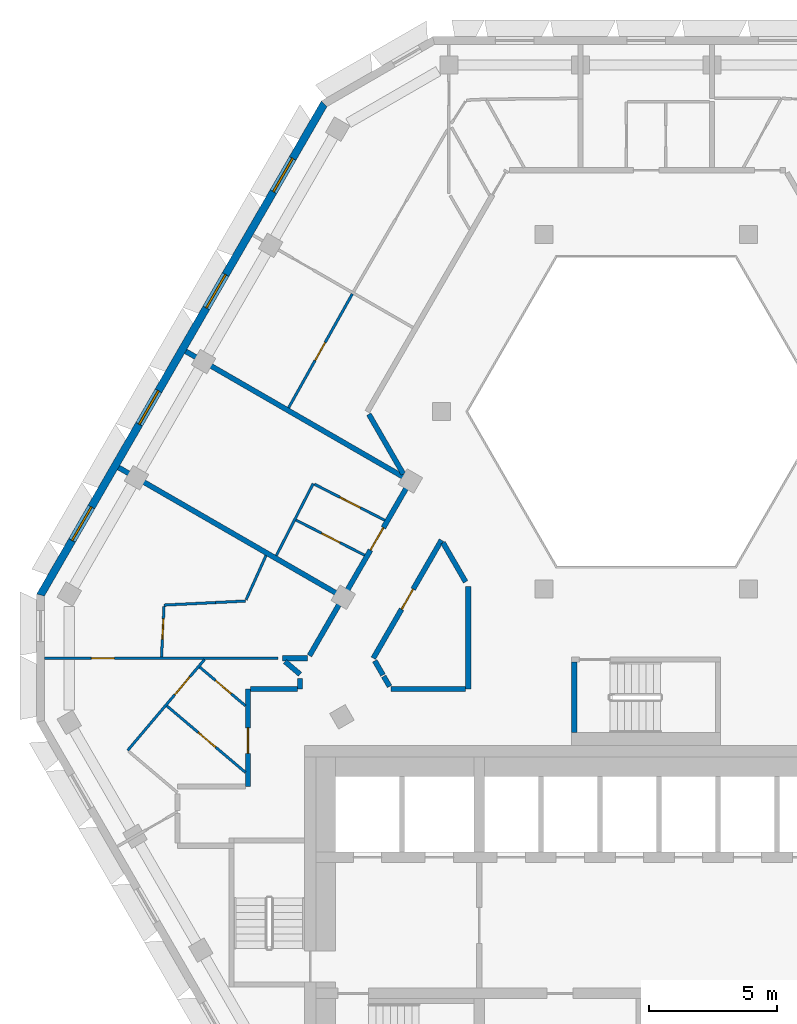
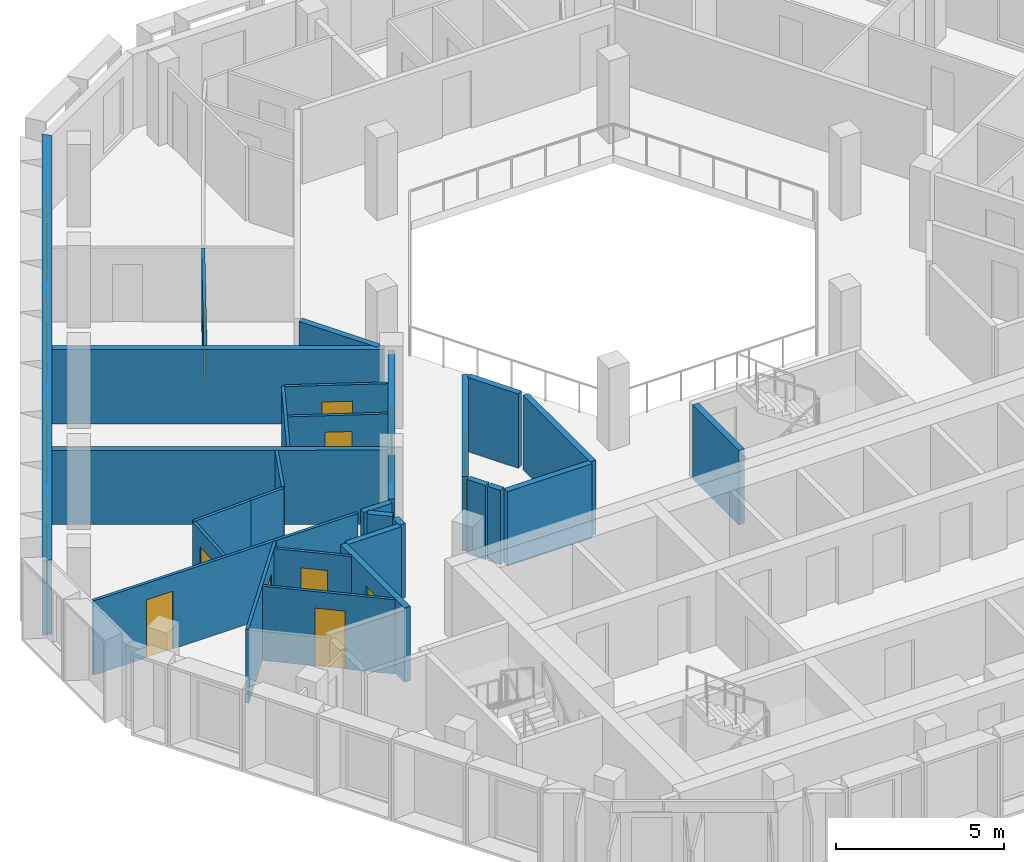
# One storey, part 4 of 15: 29 walls, 11 doors, 4 windows, 15 openings.
"""IFC4 building model written with IfcOpenShell, lengths in metres."""

from ifc_helpers import new_model, si_unit, direction, frame, frame_2d, origin, place, context, subcontext, project, spatial, polyline, rectangle, outline, extrude, material, layer, layer_set, type_object, element, fill, save


model = new_model("IFC4")

# Units and contexts
model_context = context("Model", 3, precision=1e-05, world=origin(), true_north=direction((0.0, 1.0)))
body_context = subcontext(model_context, "Body", "Model", "MODEL_VIEW")
ifc_project = project(units=[si_unit("LENGTHUNIT", "METRE"), si_unit("AREAUNIT", "SQUARE_METRE"), si_unit("VOLUMEUNIT", "CUBIC_METRE"), si_unit("PLANEANGLEUNIT", "RADIAN"), si_unit("MASSUNIT", "GRAM", prefix="KILO")], contexts=[model_context])

# Site, building, storey
site_placement = place(None, origin())
site = spatial("IfcSite", under=ifc_project, at=site_placement, CompositionType="ELEMENT")
building_placement = place(site_placement, origin())
building = spatial("IfcBuilding", under=site, at=building_placement, Name="Beryl Residences", CompositionType="ELEMENT")
storey_placement = place(building_placement, frame((0.0, 0.0, 211.800048828125)))
storey = spatial("IfcBuildingStorey", under=building, at=storey_placement, Name="L65", CompositionType="ELEMENT", Elevation=211.800048828125)

# Wall, openings, windows
ifc_material_1 = material(Name="Composite metal panel with mineral wool insulation")
ifc_layer_1 = layer(ifc_material_1, 0.300048828125)
ifc_layer_set_1 = layer_set([ifc_layer_1], Name="ES1 pale metal composite panel wall 300 mm")
wall_type_1 = type_object("IfcWallType", Name="ES1 pale metal composite panel wall 300 mm", PredefinedType="SOLIDWALL", material=ifc_layer_set_1)
wall_1_placement = place(storey_placement, frame((-12.513916015625, 20.02490234375, 0.0), z_axis=(0.0, 0.0, 1.0), x_axis=(-0.500003656944, -0.866023292436, 0.0)))
wall_1 = element("IfcWall", 1, at=wall_1_placement, inside=storey, type_object=wall_type_1, Name="ES1 external wall L65 NW", PredefinedType="SOLIDWALL", context=body_context, shape_type="SweptSolid", body=[
    extrude(outline(polyline([(0.0, -0.14990234375), (22.170166015625, -0.14990234375), (22.08984375, 0.14990234375), (0.080322265625, 0.14990234375), (0.0, -0.14990234375)])), origin(), (0.0, 0.0, 1.0), 2.699951171875),
])
opening_1_placement = place(wall_1_placement, frame((2.4970703125, 0.0, 0.14990234375)))
opening_1 = element("IfcOpeningElement", 2, at=opening_1_placement, cuts=wall_1, Name="Opening W1", PredefinedType="OPENING", context=body_context, shape_type="SweptSolid", body=[
    extrude(rectangle(XDim=1.5, YDim=2.10009765625, at=frame_2d((0.75, 1.050048828125))), frame((0.0, 0.159912109375, 0.0), z_axis=(0.0, -1.0, 0.0), x_axis=(1.0, 0.0, 0.0)), (0.0, 0.0, 1.0), 0.320068359375),
])
opening_2_placement = place(wall_1_placement, frame((7.721923828125, 0.0, 0.14990234375)))
opening_2 = element("IfcOpeningElement", 3, at=opening_2_placement, cuts=wall_1, Name="Opening W1", PredefinedType="OPENING", context=body_context, shape_type="SweptSolid", body=[
    extrude(rectangle(XDim=1.5, YDim=2.10009765625, at=frame_2d((0.75, 1.050048828125))), frame((0.0, 0.159912109375, 0.0), z_axis=(0.0, -1.0, 0.0), x_axis=(1.0, 0.0, 0.0)), (0.0, 0.0, 1.0), 0.320068359375),
])
opening_3_placement = place(wall_1_placement, frame((12.947998046875, 0.0, 0.14990234375)))
opening_3 = element("IfcOpeningElement", 4, at=opening_3_placement, cuts=wall_1, Name="Opening W1", PredefinedType="OPENING", context=body_context, shape_type="SweptSolid", body=[
    extrude(rectangle(XDim=1.5, YDim=2.10009765625, at=frame_2d((0.75, 1.050048828125))), frame((0.0, 0.159912109375, 0.0), z_axis=(0.0, -1.0, 0.0), x_axis=(1.0, 0.0, 0.0)), (0.0, 0.0, 1.0), 0.320068359375),
])
opening_4_placement = place(wall_1_placement, frame((18.173095703125, 0.0, 0.14990234375)))
opening_4 = element("IfcOpeningElement", 5, at=opening_4_placement, cuts=wall_1, Name="Opening W1", PredefinedType="OPENING", context=body_context, shape_type="SweptSolid", body=[
    extrude(rectangle(XDim=1.5, YDim=2.10009765625, at=frame_2d((0.75, 1.050048828125))), frame((0.0, 0.159912109375, 0.0), z_axis=(0.0, -1.0, 0.0), x_axis=(1.0, 0.0, 0.0)), (0.0, 0.0, 1.0), 0.320068359375),
])
ifc_material_2 = material(Name="Aluminium and clear glass", Category="aluminium")
window_type = type_object("IfcWindowType", Name="W1 cell window 1500 x 2100 mm", PartitioningType="SINGLE_PANEL", PredefinedType="WINDOW", material=ifc_material_2)
window_1_placement = place(opening_1_placement, origin())
window_1 = element("IfcWindow", 6, at=window_1_placement, inside=storey, type_object=window_type, Name="W1 window L65 NW 2", OverallHeight=2.10009765625, OverallWidth=1.5, PartitioningType="SINGLE_PANEL", PredefinedType="WINDOW", context=body_context, shape_type="SweptSolid", body=[
    extrude(rectangle(XDim=1.5, YDim=2.10009765625, at=frame_2d((0.75, 1.050048828125))), frame((0.0, 0.030029296875, 0.0), z_axis=(0.0, -1.0, 0.0), x_axis=(1.0, 0.0, 0.0)), (0.0, 0.0, 1.0), 0.06005859375),
])
fill(opening_1, window_1)
window_2_placement = place(opening_2_placement, origin())
window_2 = element("IfcWindow", 7, at=window_2_placement, inside=storey, type_object=window_type, Name="W1 window L65 NW 4", OverallHeight=2.10009765625, OverallWidth=1.5, PartitioningType="SINGLE_PANEL", PredefinedType="WINDOW", context=body_context, shape_type="SweptSolid", body=[
    extrude(rectangle(XDim=1.5, YDim=2.10009765625, at=frame_2d((0.75, 1.050048828125))), frame((0.0, 0.030029296875, 0.0), z_axis=(0.0, -1.0, 0.0), x_axis=(1.0, 0.0, 0.0)), (0.0, 0.0, 1.0), 0.06005859375),
])
fill(opening_2, window_2)
window_3_placement = place(opening_3_placement, origin())
window_3 = element("IfcWindow", 8, at=window_3_placement, inside=storey, type_object=window_type, Name="W1 window L65 NW 6", OverallHeight=2.10009765625, OverallWidth=1.5, PartitioningType="SINGLE_PANEL", PredefinedType="WINDOW", context=body_context, shape_type="SweptSolid", body=[
    extrude(rectangle(XDim=1.5, YDim=2.10009765625, at=frame_2d((0.75, 1.050048828125))), frame((0.0, 0.030029296875, 0.0), z_axis=(0.0, -1.0, 0.0), x_axis=(1.0, 0.0, 0.0)), (0.0, 0.0, 1.0), 0.06005859375),
])
fill(opening_3, window_3)
window_4_placement = place(opening_4_placement, origin())
window_4 = element("IfcWindow", 9, at=window_4_placement, inside=storey, type_object=window_type, Name="W1 window L65 NW 8", OverallHeight=2.10009765625, OverallWidth=1.5, PartitioningType="SINGLE_PANEL", PredefinedType="WINDOW", context=body_context, shape_type="SweptSolid", body=[
    extrude(rectangle(XDim=1.5, YDim=2.10009765625, at=frame_2d((0.75, 1.050048828125))), frame((0.0, 0.030029296875, 0.0), z_axis=(0.0, -1.0, 0.0), x_axis=(1.0, 0.0, 0.0)), (0.0, 0.0, 1.0), 0.06005859375),
])
fill(opening_4, window_4)

# Wall, opening, door
ifc_material_3 = material(Name="Gypsum board partition on steel studs", Category="steel")
ifc_layer_2 = layer(ifc_material_3, 0.10009765625)
ifc_layer_set_2 = layer_set([ifc_layer_2], Name="PT1 partition 100 mm gypsum board on steel studs")
wall_type_2 = type_object("IfcWallType", Name="PT1 partition 100 mm gypsum board on steel studs", PredefinedType="PARTITIONING", material=ifc_layer_set_2)
wall_2_placement = place(storey_placement, frame((-12.9169921875, 5.177001953125, 0.0), z_axis=(0.0, 0.0, 1.0), x_axis=(0.889829844516, -0.456292502467, 0.0)))
wall_2 = element("IfcWall", 10, at=wall_2_placement, inside=storey, type_object=wall_type_2, Name="Wall PT1 L65 015", PredefinedType="PARTITIONING", context=body_context, shape_type="SweptSolid", body=[
    extrude(rectangle(XDim=3.079345703125, YDim=0.10009765625, at=frame_2d((1.53955078125, 0.0))), origin(), (0.0, 0.0, 1.0), 2.699951171875),
])
opening_5_placement = place(wall_2_placement, frame((1.114013671875, 0.0, 0.0)))
opening_5 = element("IfcOpeningElement", 11, at=opening_5_placement, cuts=wall_2, Name="Opening D2121", PredefinedType="OPENING", context=body_context, shape_type="SweptSolid", body=[
    extrude(rectangle(XDim=0.89990234375, YDim=2.10009765625, at=frame_2d((0.449951171875, 1.050048828125))), frame((0.0, 0.06005859375, 0.0), z_axis=(0.0, -1.0, 0.0), x_axis=(1.0, 0.0, 0.0)), (0.0, 0.0, 1.0), 0.1201171875),
])
ifc_material_4 = material(Name="Timber door leaf", Category="wood")
door_type_1 = type_object("IfcDoorType", Name="D2 room door 900 x 2100 mm", OperationType="SINGLE_SWING_LEFT", PredefinedType="DOOR", material=ifc_material_4)
door_1_placement = place(opening_5_placement, origin())
door_1 = element("IfcDoor", 12, at=door_1_placement, inside=storey, type_object=door_type_1, Name="Door D2121 L65 001", OperationType="SINGLE_SWING_LEFT", OverallHeight=2.10009765625, OverallWidth=0.89990234375, PredefinedType="DOOR", context=body_context, shape_type="SweptSolid", body=[
    extrude(rectangle(XDim=0.89990234375, YDim=2.10009765625, at=frame_2d((0.449951171875, 1.050048828125))), frame((0.0, 0.02490234375, 0.0), z_axis=(0.0, -1.0, 0.0), x_axis=(1.0, 0.0, 0.0)), (0.0, 0.0, 1.0), 0.050048828125),
])
fill(opening_5, door_1)

wall_3_placement = place(storey_placement, frame((-13.634033203125, 3.780029296875, 0.0), z_axis=(0.0, 0.0, 1.0), x_axis=(0.889908901513, -0.456138298116, 0.0)))
wall_3 = element("IfcWall", 13, at=wall_3_placement, inside=storey, type_object=wall_type_2, Name="Wall PT1 L65 016", PredefinedType="PARTITIONING", context=body_context, shape_type="SweptSolid", body=[
    extrude(rectangle(XDim=3.001708984375, YDim=0.10009765625, at=frame_2d((1.5009765625, 0.0))), origin(), (0.0, 0.0, 1.0), 2.699951171875),
])
opening_6_placement = place(wall_3_placement, frame((1.1259765625, 0.0, 0.0)))
opening_6 = element("IfcOpeningElement", 14, at=opening_6_placement, cuts=wall_3, Name="Opening D2122", PredefinedType="OPENING", context=body_context, shape_type="SweptSolid", body=[
    extrude(rectangle(XDim=0.800048828125, YDim=2.10009765625, at=frame_2d((0.39990234375, 1.050048828125))), frame((0.0, 0.06005859375, 0.0), z_axis=(0.0, -1.0, 0.0), x_axis=(1.0, 0.0, 0.0)), (0.0, 0.0, 1.0), 0.1201171875),
])
ifc_material_5 = material(Name="Timber door leaf", Category="wood")
door_type_2 = type_object("IfcDoorType", Name="D3 bathroom door 800 x 2100 mm", OperationType="SINGLE_SWING_LEFT", PredefinedType="DOOR", material=ifc_material_5)
door_2_placement = place(opening_6_placement, origin())
door_2 = element("IfcDoor", 15, at=door_2_placement, inside=storey, type_object=door_type_2, Name="Door D2122 L65 001", OperationType="SINGLE_SWING_RIGHT", OverallHeight=2.10009765625, OverallWidth=0.800048828125, PredefinedType="DOOR", context=body_context, shape_type="SweptSolid", body=[
    extrude(rectangle(XDim=0.800048828125, YDim=2.10009765625, at=frame_2d((0.39990234375, 1.050048828125))), frame((0.0, 0.02490234375, 0.0), z_axis=(0.0, -1.0, 0.0), x_axis=(1.0, 0.0, 0.0)), (0.0, 0.0, 1.0), 0.050048828125),
])
fill(opening_6, door_2)

wall_4_placement = place(storey_placement, frame((-17.3798828125, -1.947021484375, 0.0), z_axis=(0.0, 0.0, 1.0), x_axis=(0.763616683524, -0.645669854217, 0.0)))
wall_4 = element("IfcWall", 16, at=wall_4_placement, inside=storey, type_object=wall_type_2, Name="Wall PT1 L65 019", PredefinedType="PARTITIONING", context=body_context, shape_type="SweptSolid", body=[
    extrude(rectangle(XDim=2.330810546875, YDim=0.10009765625, at=frame_2d((1.16552734375, 0.0))), origin(), (0.0, 0.0, 1.0), 2.699951171875),
])
opening_7_placement = place(wall_4_placement, frame((0.805908203125, 0.0, 0.0)))
opening_7 = element("IfcOpeningElement", 17, at=opening_7_placement, cuts=wall_4, Name="Opening D2125", PredefinedType="OPENING", context=body_context, shape_type="SweptSolid", body=[
    extrude(rectangle(XDim=0.800048828125, YDim=2.10009765625, at=frame_2d((0.39990234375, 1.050048828125))), frame((0.0, 0.06005859375, 0.0), z_axis=(0.0, -1.0, 0.0), x_axis=(1.0, 0.0, 0.0)), (0.0, 0.0, 1.0), 0.1201171875),
])
door_3_placement = place(opening_7_placement, origin())
door_3 = element("IfcDoor", 18, at=door_3_placement, inside=storey, type_object=door_type_2, Name="Door D2125 L65 001", OperationType="SINGLE_SWING_LEFT", OverallHeight=2.10009765625, OverallWidth=0.800048828125, PredefinedType="DOOR", context=body_context, shape_type="SweptSolid", body=[
    extrude(rectangle(XDim=0.800048828125, YDim=2.10009765625, at=frame_2d((0.39990234375, 1.050048828125))), frame((0.0, 0.02490234375, 0.0), z_axis=(0.0, -1.0, 0.0), x_axis=(1.0, 0.0, 0.0)), (0.0, 0.0, 1.0), 0.050048828125),
])
fill(opening_7, door_3)

wall_5_placement = place(storey_placement, frame((-18.658935546875, -3.458984375, 0.0), z_axis=(0.0, 0.0, 1.0), x_axis=(0.763550385572, -0.64574825489, 0.0)))
wall_5 = element("IfcWall", 19, at=wall_5_placement, inside=storey, type_object=wall_type_2, Name="Wall PT1 L65 020", PredefinedType="PARTITIONING", context=body_context, shape_type="SweptSolid", body=[
    extrude(rectangle(XDim=4.006103515625, YDim=0.10009765625, at=frame_2d((2.0029296875, 0.0))), origin(), (0.0, 0.0, 1.0), 2.699951171875),
])
opening_8_placement = place(wall_5_placement, frame((1.593017578125, 0.0, 0.0)))
opening_8 = element("IfcOpeningElement", 20, at=opening_8_placement, cuts=wall_5, Name="Opening D2124", PredefinedType="OPENING", context=body_context, shape_type="SweptSolid", body=[
    extrude(rectangle(XDim=0.89990234375, YDim=2.10009765625, at=frame_2d((0.449951171875, 1.050048828125))), frame((0.0, 0.06005859375, 0.0), z_axis=(0.0, -1.0, 0.0), x_axis=(1.0, 0.0, 0.0)), (0.0, 0.0, 1.0), 0.1201171875),
])
door_4_placement = place(opening_8_placement, origin())
door_4 = element("IfcDoor", 21, at=door_4_placement, inside=storey, type_object=door_type_1, Name="Door D2124 L65 001", OperationType="SINGLE_SWING_RIGHT", OverallHeight=2.10009765625, OverallWidth=0.89990234375, PredefinedType="DOOR", context=body_context, shape_type="SweptSolid", body=[
    extrude(rectangle(XDim=0.89990234375, YDim=2.10009765625, at=frame_2d((0.449951171875, 1.050048828125))), frame((0.0, 0.02490234375, 0.0), z_axis=(0.0, -1.0, 0.0), x_axis=(1.0, 0.0, 0.0)), (0.0, 0.0, 1.0), 0.050048828125),
])
fill(opening_8, door_4)

wall_6_placement = place(storey_placement, frame((-23.428955078125, -1.60107421875, 0.0), z_axis=(0.0, 0.0, 1.0), x_axis=(0.999999994233, 0.000107396965, 0.0)))
wall_6 = element("IfcWall", 22, at=wall_6_placement, inside=storey, type_object=wall_type_2, Name="Wall PT1 L65 022", PredefinedType="PARTITIONING", context=body_context, shape_type="SweptSolid", body=[
    extrude(rectangle(XDim=9.093017578125, YDim=0.10009765625, at=frame_2d((4.54638671875, 0.0))), origin(), (0.0, 0.0, 1.0), 2.699951171875),
])
opening_9_placement = place(wall_6_placement, frame((1.8291015625, 0.0, 0.0)))
opening_9 = element("IfcOpeningElement", 23, at=opening_9_placement, cuts=wall_6, Name="Opening D2127", PredefinedType="OPENING", context=body_context, shape_type="SweptSolid", body=[
    extrude(rectangle(XDim=0.89990234375, YDim=2.10009765625, at=frame_2d((0.449951171875, 1.050048828125))), frame((0.0, 0.06005859375, 0.0), z_axis=(0.0, -1.0, 0.0), x_axis=(1.0, 0.0, 0.0)), (0.0, 0.0, 1.0), 0.1201171875),
])
door_5_placement = place(opening_9_placement, origin())
door_5 = element("IfcDoor", 24, at=door_5_placement, inside=storey, type_object=door_type_1, Name="Door D2127 L65 001", OperationType="SINGLE_SWING_LEFT", OverallHeight=2.10009765625, OverallWidth=0.89990234375, PredefinedType="DOOR", context=body_context, shape_type="SweptSolid", body=[
    extrude(rectangle(XDim=0.89990234375, YDim=2.10009765625, at=frame_2d((0.449951171875, 1.050048828125))), frame((0.0, 0.02490234375, 0.0), z_axis=(0.0, -1.0, 0.0), x_axis=(1.0, 0.0, 0.0)), (0.0, 0.0, 1.0), 0.050048828125),
])
fill(opening_9, door_5)

wall_7_placement = place(storey_placement, frame((-20.18798828125, -5.19091796875, 0.0), z_axis=(0.0, 0.0, 1.0), x_axis=(0.645524337256, 0.763739700429, 0.0)))
wall_7 = element("IfcWall", 25, at=wall_7_placement, inside=storey, type_object=wall_type_2, Name="Wall PT1 L65 026", PredefinedType="PARTITIONING", context=body_context, shape_type="SweptSolid", body=[
    extrude(rectangle(XDim=4.636474609375, YDim=0.10009765625, at=frame_2d((2.318359375, 0.0))), origin(), (0.0, 0.0, 1.0), 2.699951171875),
])
opening_10_placement = place(wall_7_placement, frame((2.85009765625, 0.0, 0.0)))
opening_10 = element("IfcOpeningElement", 26, at=opening_10_placement, cuts=wall_7, Name="Opening D2126", PredefinedType="OPENING", context=body_context, shape_type="SweptSolid", body=[
    extrude(rectangle(XDim=0.89990234375, YDim=2.10009765625, at=frame_2d((0.449951171875, 1.050048828125))), frame((0.0, 0.06005859375, 0.0), z_axis=(0.0, -1.0, 0.0), x_axis=(1.0, 0.0, 0.0)), (0.0, 0.0, 1.0), 0.1201171875),
])
door_6_placement = place(opening_10_placement, origin())
door_6 = element("IfcDoor", 27, at=door_6_placement, inside=storey, type_object=door_type_1, Name="Door D2126 L65 001", OperationType="SINGLE_SWING_RIGHT", OverallHeight=2.10009765625, OverallWidth=0.89990234375, PredefinedType="DOOR", context=body_context, shape_type="SweptSolid", body=[
    extrude(rectangle(XDim=0.89990234375, YDim=2.10009765625, at=frame_2d((0.449951171875, 1.050048828125))), frame((0.0, 0.02490234375, 0.0), z_axis=(0.0, -1.0, 0.0), x_axis=(1.0, 0.0, 0.0)), (0.0, 0.0, 1.0), 0.050048828125),
])
fill(opening_10, door_6)

# Wall
wall_8_placement = place(storey_placement, frame((-15.574951171875, 0.677001953125, 0.0), z_axis=(0.0, 0.0, 1.0), x_axis=(0.410768223147, 0.911739802165, 0.0)))
element("IfcWall", 28, at=wall_8_placement, inside=storey, type_object=wall_type_2, Name="Wall PT1 L65 028", PredefinedType="PARTITIONING", context=body_context, shape_type="SweptSolid", body=[
    extrude(rectangle(XDim=1.886474609375, YDim=0.10009765625, at=frame_2d((0.943359375, 0.0))), origin(), (0.0, 0.0, 1.0), 2.699951171875),
])

# Wall, opening, door
wall_9_placement = place(storey_placement, frame((-13.9208984375, 8.153076171875, 0.0), z_axis=(0.0, 0.0, 1.0), x_axis=(0.488568218554, 0.872525699231, 0.0)))
wall_9 = element("IfcWall", 29, at=wall_9_placement, inside=storey, type_object=wall_type_2, Name="Wall PT1 L65 031", PredefinedType="PARTITIONING", context=body_context, shape_type="SweptSolid", body=[
    extrude(rectangle(XDim=5.075927734375, YDim=0.10009765625, at=frame_2d((2.5380859375, 0.0))), origin(), (0.0, 0.0, 1.0), 2.699951171875),
])
opening_11_placement = place(wall_9_placement, frame((2.113037109375, 0.0, 0.0)))
opening_11 = element("IfcOpeningElement", 30, at=opening_11_placement, cuts=wall_9, Name="Opening D2119", PredefinedType="OPENING", context=body_context, shape_type="SweptSolid", body=[
    extrude(rectangle(XDim=0.800048828125, YDim=2.10009765625, at=frame_2d((0.39990234375, 1.050048828125))), frame((0.0, 0.06005859375, 0.0), z_axis=(0.0, -1.0, 0.0), x_axis=(1.0, 0.0, 0.0)), (0.0, 0.0, 1.0), 0.1201171875),
])
door_7_placement = place(opening_11_placement, origin())
door_7 = element("IfcDoor", 31, at=door_7_placement, inside=storey, type_object=door_type_2, Name="Door D2119 L65 001", OperationType="SINGLE_SWING_LEFT", OverallHeight=2.10009765625, OverallWidth=0.800048828125, PredefinedType="DOOR", context=body_context, shape_type="SweptSolid", body=[
    extrude(rectangle(XDim=0.800048828125, YDim=2.10009765625, at=frame_2d((0.39990234375, 1.050048828125))), frame((0.0, 0.02490234375, 0.0), z_axis=(0.0, -1.0, 0.0), x_axis=(1.0, 0.0, 0.0)), (0.0, 0.0, 1.0), 0.050048828125),
])
fill(opening_11, door_7)

# Wall
wall_10_placement = place(storey_placement, frame((-14.39892578125, 2.39599609375, 0.0), z_axis=(0.0, 0.0, 1.0), x_axis=(0.455967231787, 0.889996563778, 0.0)))
element("IfcWall", 32, at=wall_10_placement, inside=storey, type_object=wall_type_2, Name="Wall PT1 L65 034", PredefinedType="PARTITIONING", context=body_context, shape_type="SweptSolid", body=[
    extrude(rectangle(XDim=3.1494140625, YDim=0.10009765625, at=frame_2d((1.57470703125, 0.0))), origin(), (0.0, 0.0, 1.0), 2.699951171875),
])

# Wall, opening, door
wall_11_placement = place(storey_placement, frame((-18.868896484375, -1.550048828125, 0.0), z_axis=(0.0, 0.0, 1.0), x_axis=(0.049189853645, 0.998789446429, 0.0)))
wall_11 = element("IfcWall", 33, at=wall_11_placement, inside=storey, type_object=wall_type_2, Name="Wall PT1 L65 035", PredefinedType="PARTITIONING", context=body_context, shape_type="SweptSolid", body=[
    extrude(rectangle(XDim=1.970458984375, YDim=0.10009765625, at=frame_2d((0.9853515625, 0.0))), origin(), (0.0, 0.0, 1.0), 2.699951171875),
])
opening_12_placement = place(wall_11_placement, frame((0.68408203125, 0.0, 0.0)))
opening_12 = element("IfcOpeningElement", 34, at=opening_12_placement, cuts=wall_11, Name="Opening D2129", PredefinedType="OPENING", context=body_context, shape_type="SweptSolid", body=[
    extrude(rectangle(XDim=0.800048828125, YDim=2.10009765625, at=frame_2d((0.39990234375, 1.050048828125))), frame((0.0, 0.06005859375, 0.0), z_axis=(0.0, -1.0, 0.0), x_axis=(1.0, 0.0, 0.0)), (0.0, 0.0, 1.0), 0.1201171875),
])
door_8_placement = place(opening_12_placement, origin())
door_8 = element("IfcDoor", 35, at=door_8_placement, inside=storey, type_object=door_type_2, Name="Door D2129 L65 001", OperationType="SINGLE_SWING_LEFT", OverallHeight=2.10009765625, OverallWidth=0.800048828125, PredefinedType="DOOR", context=body_context, shape_type="SweptSolid", body=[
    extrude(rectangle(XDim=0.800048828125, YDim=2.10009765625, at=frame_2d((0.39990234375, 1.050048828125))), frame((0.0, 0.02490234375, 0.0), z_axis=(0.0, -1.0, 0.0), x_axis=(1.0, 0.0, 0.0)), (0.0, 0.0, 1.0), 0.050048828125),
])
fill(opening_12, door_8)

# Walls
wall_12_placement = place(storey_placement, frame((-18.76904296875, 0.468994140625, 0.0), z_axis=(0.0, 0.0, 1.0), x_axis=(0.998780383332, 0.049373534108, 0.0)))
element("IfcWall", 36, at=wall_12_placement, inside=storey, type_object=wall_type_2, Name="Wall PT1 L65 046", PredefinedType="PARTITIONING", context=body_context, shape_type="SweptSolid", body=[
    extrude(rectangle(XDim=2.007568359375, YDim=0.10009765625, at=frame_2d((1.00390625, 0.0))), origin(), (0.0, 0.0, 1.0), 2.699951171875),
])
wall_13_placement = place(storey_placement, frame((-16.763916015625, 0.569091796875, 0.0), z_axis=(0.0, 0.0, 1.0), x_axis=(0.998812102885, 0.048727642373, 0.0)))
element("IfcWall", 37, at=wall_13_placement, inside=storey, type_object=wall_type_2, Name="Wall PT1 L65 047", PredefinedType="PARTITIONING", context=body_context, shape_type="SweptSolid", body=[
    extrude(rectangle(XDim=1.16748046875, YDim=0.10009765625, at=frame_2d((0.583740234375, 0.0))), origin(), (0.0, 0.0, 1.0), 2.699951171875),
])
ifc_material_6 = material(Name="Acoustic double stud gypsum board wall")
ifc_layer_3 = layer(ifc_material_6, 0.199951171875)
ifc_layer_set_3 = layer_set([ifc_layer_3], Name="PT3 party wall 200 mm acoustic double stud")
wall_type_3 = type_object("IfcWallType", Name="PT3 party wall 200 mm acoustic double stud", PredefinedType="PARTITIONING", material=ifc_layer_set_3)
wall_14_placement = place(storey_placement, frame((-20.5390625, 5.824951171875, 0.0), z_axis=(0.0, 0.0, 1.0), x_axis=(0.866046068403, -0.499964206122, 0.0)))
element("IfcWall", 38, at=wall_14_placement, inside=storey, type_object=wall_type_3, Name="Wall PT3 L65 004", PredefinedType="PARTITIONING", context=body_context, shape_type="SweptSolid", body=[
    extrude(rectangle(XDim=9.994873046875, YDim=0.199951171875, at=frame_2d((4.99755859375, 0.0))), origin(), (0.0, 0.0, 1.0), 2.699951171875),
])
wall_15_placement = place(storey_placement, frame((-17.926025390625, 10.35009765625, 0.0), z_axis=(0.0, 0.0, 1.0), x_axis=(0.866018411306, -0.500012111133, 0.0)))
element("IfcWall", 39, at=wall_15_placement, inside=storey, type_object=wall_type_3, Name="Wall PT3 L65 005", PredefinedType="PARTITIONING", context=body_context, shape_type="SweptSolid", body=[
    extrude(rectangle(XDim=9.898193359375, YDim=0.199951171875, at=frame_2d((4.94921875, 0.0))), origin(), (0.0, 0.0, 1.0), 2.699951171875),
])
wall_16_placement = place(storey_placement, frame((-14.05908203125, -1.72998046875, 0.0), z_axis=(0.0, 0.0, 1.0), x_axis=(0.763289607824, -0.64605647941, 0.0)))
element("IfcWall", 40, at=wall_16_placement, inside=storey, type_object=wall_type_3, Name="Wall PT3 L65 010", PredefinedType="PARTITIONING", context=body_context, shape_type="SweptSolid", body=[
    extrude(rectangle(XDim=0.766357421875, YDim=0.199951171875, at=frame_2d((0.38330078125, 0.0))), origin(), (0.0, 0.0, 1.0), 2.699951171875),
])
wall_17_placement = place(storey_placement, frame((-14.166015625, -1.60009765625, 0.0), z_axis=(0.0, 0.0, 1.0), x_axis=(1.0, 0.0, 0.0)))
element("IfcWall", 41, at=wall_17_placement, inside=storey, type_object=wall_type_3, Name="Wall PT3 L65 011", PredefinedType="PARTITIONING", context=body_context, shape_type="SweptSolid", body=[
    extrude(rectangle(XDim=0.972900390625, YDim=0.199951171875, at=frame_2d((0.486328125, 0.0))), origin(), (0.0, 0.0, 1.0), 2.699951171875),
])
ifc_material_7 = material(Name="Double stud gypsum board wall")
ifc_layer_4 = layer(ifc_material_7, 0.199951171875)
ifc_layer_set_4 = layer_set([ifc_layer_4], Name="PT4 corridor wall 200 mm double stud")
wall_type_4 = type_object("IfcWallType", Name="PT4 corridor wall 200 mm double stud", PredefinedType="PARTITIONING", material=ifc_layer_set_4)
wall_18_placement = place(storey_placement, frame((-10.7958984375, 7.89990234375, 0.0), z_axis=(0.0, 0.0, 1.0), x_axis=(0.499698840221, -0.866199208659, 0.0)))
element("IfcWall", 42, at=wall_18_placement, inside=storey, type_object=wall_type_4, Name="Wall PT4 L65 001", PredefinedType="PARTITIONING", context=body_context, shape_type="SweptSolid", body=[
    extrude(rectangle(XDim=2.685302734375, YDim=0.199951171875, at=frame_2d((1.3427734375, 0.0))), origin(), (0.0, 0.0, 1.0), 2.699951171875),
])
wall_19_placement = place(storey_placement, frame((-7.908935546875, 2.89794921875, 0.0), z_axis=(0.0, 0.0, 1.0), x_axis=(0.50019444547, -0.865913111531, 0.0)))
element("IfcWall", 43, at=wall_19_placement, inside=storey, type_object=wall_type_4, Name="Wall PT4 L65 002", PredefinedType="PARTITIONING", context=body_context, shape_type="SweptSolid", body=[
    extrude(rectangle(XDim=1.760986328125, YDim=0.199951171875, at=frame_2d((0.88037109375, 0.0))), origin(), (0.0, 0.0, 1.0), 2.699951171875),
])
wall_20_placement = place(storey_placement, frame((-10.56494140625, -1.700927734375, 0.0), z_axis=(0.0, 0.0, 1.0), x_axis=(0.499512735409, -0.866306543416, 0.0)))
element("IfcWall", 44, at=wall_20_placement, inside=storey, type_object=wall_type_4, Name="Wall PT4 L65 003", PredefinedType="PARTITIONING", context=body_context, shape_type="SweptSolid", body=[
    extrude(rectangle(XDim=0.638427734375, YDim=0.199951171875, at=frame_2d((0.3193359375, 0.0))), origin(), (0.0, 0.0, 1.0), 2.699951171875),
])
wall_21_placement = place(storey_placement, frame((-10.217041015625, -2.303955078125, 0.0), z_axis=(0.0, 0.0, 1.0), x_axis=(0.499013081552, -0.866594452117, 0.0)))
element("IfcWall", 45, at=wall_21_placement, inside=storey, type_object=wall_type_4, Name="Wall PT4 L65 004", PredefinedType="PARTITIONING", context=body_context, shape_type="SweptSolid", body=[
    extrude(rectangle(XDim=0.45703125, YDim=0.199951171875, at=frame_2d((0.228515625, 0.0))), origin(), (0.0, 0.0, 1.0), 2.699951171875),
])
wall_22_placement = place(storey_placement, frame((-15.39892578125, -2.800048828125, 0.0), z_axis=(0.0, 0.0, 1.0), x_axis=(1.0, 0.0, 0.0)))
element("IfcWall", 46, at=wall_22_placement, inside=storey, type_object=wall_type_4, Name="Wall PT4 L65 014", PredefinedType="PARTITIONING", context=body_context, shape_type="SweptSolid", body=[
    extrude(rectangle(XDim=1.824951171875, YDim=0.199951171875, at=frame_2d((0.91259765625, 0.0))), origin(), (0.0, 0.0, 1.0), 2.699951171875),
])
wall_23_placement = place(storey_placement, frame((-9.929931640625, -2.800048828125, 0.0), z_axis=(0.0, 0.0, 1.0), x_axis=(1.0, 0.0, 0.0)))
element("IfcWall", 47, at=wall_23_placement, inside=storey, type_object=wall_type_4, Name="Wall PT4 L65 015", PredefinedType="PARTITIONING", context=body_context, shape_type="SweptSolid", body=[
    extrude(rectangle(XDim=2.90087890625, YDim=0.199951171875, at=frame_2d((1.450439453125, 0.0))), origin(), (0.0, 0.0, 1.0), 2.699951171875),
])

# Wall, opening, door
wall_24_placement = place(storey_placement, frame((-10.623046875, -1.60009765625, 0.0), z_axis=(0.0, 0.0, 1.0), x_axis=(0.500040865889, 0.866001808567, 0.0)))
wall_24 = element("IfcWall", 48, at=wall_24_placement, inside=storey, type_object=wall_type_4, Name="Wall PT4 L65 023", PredefinedType="PARTITIONING", context=body_context, shape_type="SweptSolid", body=[
    extrude(rectangle(XDim=5.3095703125, YDim=0.199951171875, at=frame_2d((2.65478515625, 0.0))), origin(), (0.0, 0.0, 1.0), 2.699951171875),
])
opening_13_placement = place(wall_24_placement, frame((2.205078125, 0.0, 0.0)))
opening_13 = element("IfcOpeningElement", 49, at=opening_13_placement, cuts=wall_24, Name="Opening D2144", PredefinedType="OPENING", context=body_context, shape_type="SweptSolid", body=[
    extrude(rectangle(XDim=0.89990234375, YDim=2.10009765625, at=frame_2d((0.449951171875, 1.050048828125))), frame((0.0, 0.10986328125, 0.0), z_axis=(0.0, -1.0, 0.0), x_axis=(1.0, 0.0, 0.0)), (0.0, 0.0, 1.0), 0.219970703125),
])
door_9_placement = place(opening_13_placement, origin())
door_9 = element("IfcDoor", 50, at=door_9_placement, inside=storey, type_object=door_type_1, Name="Door D2144 L65 001", OperationType="SINGLE_SWING_RIGHT", OverallHeight=2.10009765625, OverallWidth=0.89990234375, PredefinedType="DOOR", context=body_context, shape_type="SweptSolid", body=[
    extrude(rectangle(XDim=0.89990234375, YDim=2.10009765625, at=frame_2d((0.449951171875, 1.050048828125))), frame((0.0, 0.02490234375, 0.0), z_axis=(0.0, -1.0, 0.0), x_axis=(1.0, 0.0, 0.0)), (0.0, 0.0, 1.0), 0.050048828125),
])
fill(opening_13, door_9)

wall_25_placement = place(storey_placement, frame((-13.10595703125, -1.5, 0.0), z_axis=(0.0, 0.0, 1.0), x_axis=(0.500025705601, 0.86601056214, 0.0)))
wall_25 = element("IfcWall", 51, at=wall_25_placement, inside=storey, type_object=wall_type_4, Name="Wall PT4 L65 024", PredefinedType="PARTITIONING", context=body_context, shape_type="SweptSolid", body=[
    extrude(rectangle(XDim=7.7353515625, YDim=0.199951171875, at=frame_2d((3.86767578125, 0.0))), origin(), (0.0, 0.0, 1.0), 2.699951171875),
])
opening_14_placement = place(wall_25_placement, frame((4.748046875, 0.0, 0.0)))
opening_14 = element("IfcOpeningElement", 52, at=opening_14_placement, cuts=wall_25, Name="Opening D2120", PredefinedType="OPENING", context=body_context, shape_type="SweptSolid", body=[
    extrude(rectangle(XDim=1.0, YDim=2.10009765625, at=frame_2d((0.5, 1.050048828125))), frame((0.0, 0.10986328125, 0.0), z_axis=(0.0, -1.0, 0.0), x_axis=(1.0, 0.0, 0.0)), (0.0, 0.0, 1.0), 0.219970703125),
])
ifc_material_8 = material(Name="Timber door leaf", Category="wood")
door_type_3 = type_object("IfcDoorType", Name="D1 flat entrance door 1000 x 2100 mm", OperationType="SINGLE_SWING_LEFT", PredefinedType="DOOR", material=ifc_material_8)
door_10_placement = place(opening_14_placement, origin())
door_10 = element("IfcDoor", 53, at=door_10_placement, inside=storey, type_object=door_type_3, Name="Door D2120 L65 001", OperationType="SINGLE_SWING_RIGHT", OverallHeight=2.10009765625, OverallWidth=1.0, PredefinedType="DOOR", context=body_context, shape_type="SweptSolid", body=[
    extrude(rectangle(XDim=1.0, YDim=2.10009765625, at=frame_2d((0.5, 1.050048828125))), frame((0.0, 0.02490234375, 0.0), z_axis=(0.0, -1.0, 0.0), x_axis=(1.0, 0.0, 0.0)), (0.0, 0.0, 1.0), 0.050048828125),
])
fill(opening_14, door_10)

# Walls
wall_26_placement = place(storey_placement, frame((-6.927978515625, -2.799072265625, 0.0), z_axis=(0.0, 0.0, 1.0), x_axis=(0.0, 1.0, 0.0)))
element("IfcWall", 54, at=wall_26_placement, inside=storey, type_object=wall_type_4, Name="Wall PT4 L65 028", PredefinedType="PARTITIONING", context=body_context, shape_type="SweptSolid", body=[
    extrude(rectangle(XDim=3.9990234375, YDim=0.199951171875, at=frame_2d((1.99951171875, 0.0))), origin(), (0.0, 0.0, 1.0), 2.699951171875),
])
wall_27_placement = place(storey_placement, frame((-13.472900390625, -2.799072265625, 0.0), z_axis=(0.0, 0.0, 1.0), x_axis=(0.0, 1.0, 0.0)))
element("IfcWall", 55, at=wall_27_placement, inside=storey, type_object=wall_type_4, Name="Wall PT4 L65 029", PredefinedType="PARTITIONING", context=body_context, shape_type="SweptSolid", body=[
    extrude(rectangle(XDim=0.412109375, YDim=0.199951171875, at=frame_2d((0.2060546875, 0.0))), origin(), (0.0, 0.0, 1.0), 2.699951171875),
])

# Wall, opening, door
wall_28_placement = place(storey_placement, frame((-15.5, -6.59912109375, 0.0), z_axis=(0.0, 0.0, 1.0), x_axis=(0.0, 1.0, 0.0)))
wall_28 = element("IfcWall", 56, at=wall_28_placement, inside=storey, type_object=wall_type_4, Name="Wall PT4 L65 030", PredefinedType="PARTITIONING", context=body_context, shape_type="SweptSolid", body=[
    extrude(rectangle(XDim=3.798095703125, YDim=0.199951171875, at=frame_2d((1.89892578125, 0.0))), origin(), (0.0, 0.0, 1.0), 2.699951171875),
])
opening_15_placement = place(wall_28_placement, frame((1.291015625, 0.0, 0.0)))
opening_15 = element("IfcOpeningElement", 57, at=opening_15_placement, cuts=wall_28, Name="Opening D2123", PredefinedType="OPENING", context=body_context, shape_type="SweptSolid", body=[
    extrude(rectangle(XDim=1.0, YDim=2.10009765625, at=frame_2d((0.5, 1.050048828125))), frame((0.0, 0.10986328125, 0.0), z_axis=(0.0, -1.0, 0.0), x_axis=(1.0, 0.0, 0.0)), (0.0, 0.0, 1.0), 0.219970703125),
])
door_11_placement = place(opening_15_placement, origin())
door_11 = element("IfcDoor", 58, at=door_11_placement, inside=storey, type_object=door_type_3, Name="Door D2123 L65 001", OperationType="SINGLE_SWING_LEFT", OverallHeight=2.10009765625, OverallWidth=1.0, PredefinedType="DOOR", context=body_context, shape_type="SweptSolid", body=[
    extrude(rectangle(XDim=1.0, YDim=2.10009765625, at=frame_2d((0.5, 1.050048828125))), frame((0.0, 0.02490234375, 0.0), z_axis=(0.0, -1.0, 0.0), x_axis=(1.0, 0.0, 0.0)), (0.0, 0.0, 1.0), 0.050048828125),
])
fill(opening_15, door_11)

# Wall
ifc_material_9 = material(Name="Concrete C40/50", Category="concrete")
ifc_layer_5 = layer(ifc_material_9, 0.199951171875)
ifc_layer_set_5 = layer_set([ifc_layer_5], Name="PT5 stair enclosure wall 200 mm reinforced concrete C40/50")
wall_type_5 = type_object("IfcWallType", Name="PT5 stair enclosure wall 200 mm reinforced concrete C40/50", PredefinedType="SOLIDWALL", material=ifc_layer_set_5)
wall_29_placement = place(storey_placement, frame((-2.800048828125, -4.5, 0.0), z_axis=(0.0, 0.0, 1.0), x_axis=(0.0, 1.0, 0.0)))
element("IfcWall", 59, at=wall_29_placement, inside=storey, type_object=wall_type_5, Name="Wall PT5 L65 002", PredefinedType="SOLIDWALL", context=body_context, shape_type="SweptSolid", body=[
    extrude(rectangle(XDim=2.75, YDim=0.199951171875, at=frame_2d((1.375, 0.0))), origin(), (0.0, 0.0, 1.0), 2.699951171875),
])

save(model, "model.ifc")
